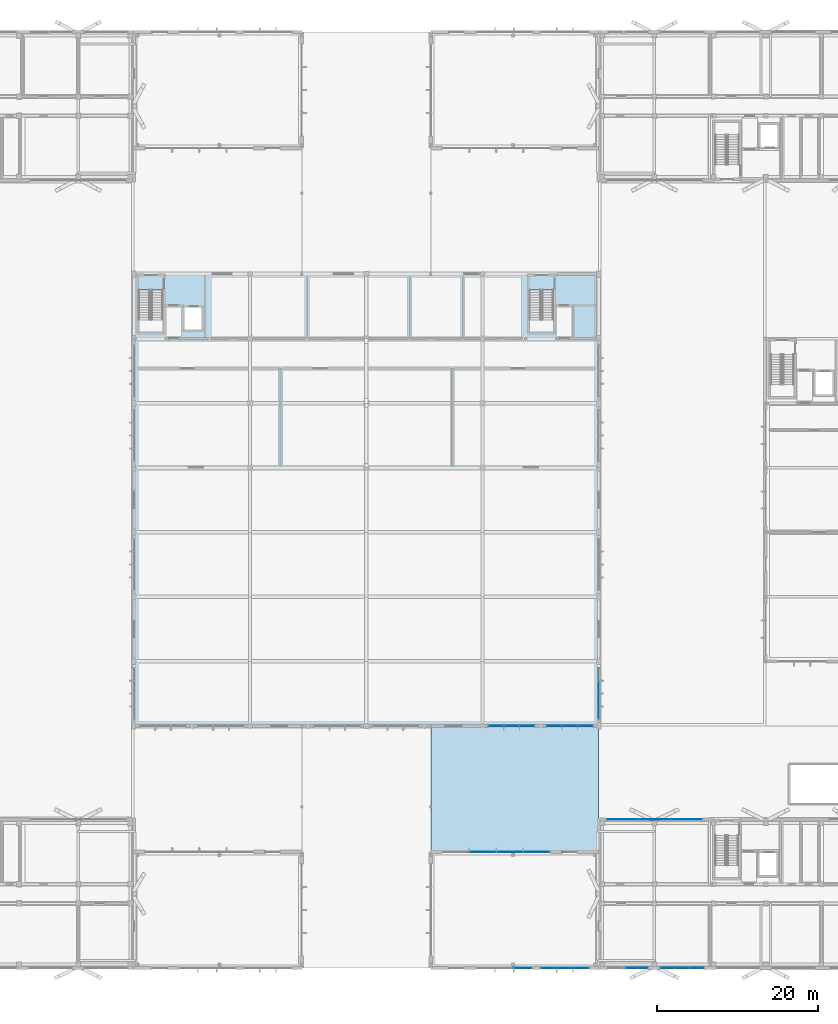
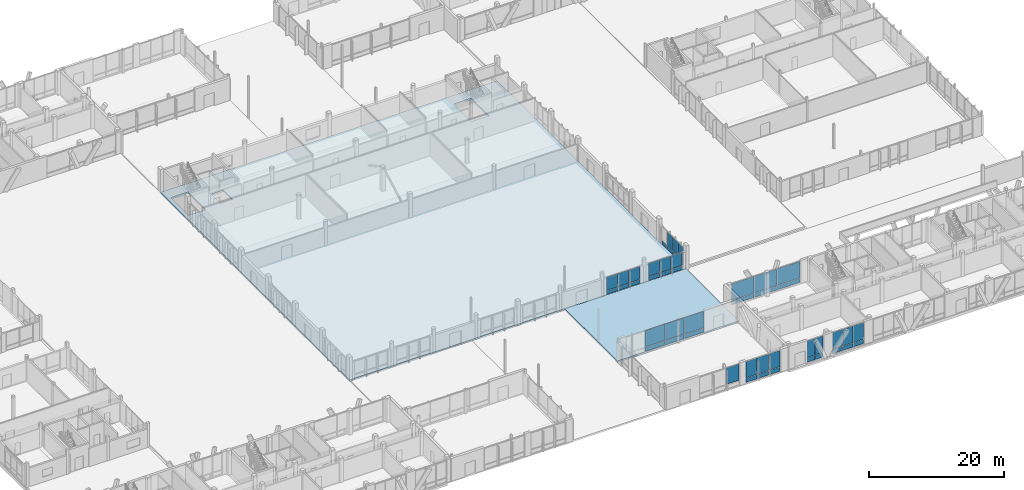
# One storey, part 180 of 233: 48 plates, 2 slabs, 9 elements without a shape of their own.
"""IFC4 building model written with IfcOpenShell, lengths in metres."""

from ifc_helpers import new_model, si_unit, direction, frame, origin, origin_2d, place, context, subcontext, project, spatial, polyline, rectangle, outline, extrude, material, layer, layer_set, type_object, element, aggregate, save


model = new_model("IFC4")

# Units and contexts
model_context = context("Model", 3, precision=1e-05, world=origin(), true_north=direction((0.0, 1.0)))
body_context = subcontext(model_context, "Body", "Model", "MODEL_VIEW")
ifc_project = project(units=[si_unit("LENGTHUNIT", "METRE"), si_unit("AREAUNIT", "SQUARE_METRE"), si_unit("VOLUMEUNIT", "CUBIC_METRE"), si_unit("PLANEANGLEUNIT", "RADIAN"), si_unit("MASSUNIT", "GRAM", prefix="KILO")], contexts=[model_context])

# Site, building, storey
site_placement = place(None, origin())
site = spatial("IfcSite", under=ifc_project, at=site_placement, CompositionType="ELEMENT")
building_placement = place(site_placement, origin())
building = spatial("IfcBuilding", under=site, at=building_placement, Name="Zavelmont Quarter", CompositionType="ELEMENT")
storey_placement = place(building_placement, origin())
storey = spatial("IfcBuildingStorey", under=building, at=storey_placement, Name="L00", CompositionType="ELEMENT", Elevation=0.0)

# Curtain wall, plates
ifc_material_1 = material(Name="Thermally broken aluminium and double low-E safety glazing", Category="aluminium")
curtain_wall_type_1 = type_object("IfcCurtainWallType", Name="CW-285X395", PredefinedType="NOTDEFINED", material=ifc_material_1)
curtain_wall_1_placement = place(storey_placement, origin())
curtain_wall_1 = element("IfcCurtainWall", 1, at=curtain_wall_1_placement, inside=storey, type_object=curtain_wall_type_1, Name="L00 unitised curtain wall CW-285X395", PredefinedType="NOTDEFINED")
ifc_material_2 = material(Name="Insulated anodised-aluminium spandrel panel", Category="aluminium")
ifc_layer_1 = layer(ifc_material_2, 0.0400390625)
ifc_layer_set_1 = layer_set([ifc_layer_1], Name="Insulated anodised-aluminium spandrel panel")
plate_type_1 = type_object("IfcPlateType", Name="CWP-SPD-1335X760", PredefinedType="CURTAIN_PANEL", material=ifc_layer_set_1)
plate_1_placement = place(storey_placement, frame((116.827392578125, 0.0, 0.06005859375), z_axis=(0.0, 0.0, 1.0), x_axis=(1.0, 0.0, 0.0)))
plate_1 = element("IfcPlate", 2, at=plate_1_placement, type_object=plate_type_1, Name="CW-285X395 panel 1.1", PredefinedType="CURTAIN_PANEL", context=body_context, shape_type="SweptSolid", body=[
    extrude(rectangle(XDim=1.3349609375, YDim=0.0400390625, at=origin_2d()), origin(), (0.0, 0.0, 1.0), 0.760009765625),
])
plate_2_placement = place(storey_placement, frame((118.222412109375, 0.0, 0.06005859375), z_axis=(0.0, 0.0, 1.0), x_axis=(1.0, 0.0, 0.0)))
plate_2 = element("IfcPlate", 3, at=plate_2_placement, type_object=plate_type_1, Name="CW-285X395 panel 2.1", PredefinedType="CURTAIN_PANEL", context=body_context, shape_type="SweptSolid", body=[
    extrude(rectangle(XDim=1.3349609375, YDim=0.0400390625, at=origin_2d()), origin(), (0.0, 0.0, 1.0), 0.760009765625),
])

curtain_wall_type_2 = type_object("IfcCurtainWallType", Name="CW-640X336", PredefinedType="NOTDEFINED", material=ifc_material_1)
curtain_wall_2_placement = place(storey_placement, origin())
curtain_wall_2 = element("IfcCurtainWall", 4, at=curtain_wall_2_placement, inside=storey, type_object=curtain_wall_type_2, Name="L00 unitised curtain wall CW-640X336", PredefinedType="NOTDEFINED")
ifc_layer_2 = layer(ifc_material_2, 0.0400390625)
ifc_layer_set_2 = layer_set([ifc_layer_2], Name="Insulated anodised-aluminium spandrel panel")
plate_type_2 = type_object("IfcPlateType", Name="CWP-SPD-1495X700", PredefinedType="CURTAIN_PANEL", material=ifc_layer_set_2)
plate_3_placement = place(storey_placement, frame((112.800048828125, 31.617431640625, 0.06982421875), z_axis=(0.0, 0.0, 1.0), x_axis=(0.0, 1.0, 0.0)))
plate_3 = element("IfcPlate", 5, at=plate_3_placement, type_object=plate_type_2, Name="CW-640X336 panel 1.1", PredefinedType="CURTAIN_PANEL", context=body_context, shape_type="SweptSolid", body=[
    extrude(rectangle(XDim=1.4951171875, YDim=0.0400390625, at=origin_2d()), origin(), (0.0, 0.0, 1.0), 0.700927734375),
])
plate_4_placement = place(storey_placement, frame((112.800048828125, 36.382568359375, 0.06982421875), z_axis=(0.0, 0.0, 1.0), x_axis=(0.0, 1.0, 0.0)))
plate_4 = element("IfcPlate", 6, at=plate_4_placement, type_object=plate_type_2, Name="CW-640X336 panel 4.1", PredefinedType="CURTAIN_PANEL", context=body_context, shape_type="SweptSolid", body=[
    extrude(rectangle(XDim=1.4951171875, YDim=0.0400390625, at=origin_2d()), origin(), (0.0, 0.0, 1.0), 0.700927734375),
])
ifc_layer_3 = layer(ifc_material_2, 0.0400390625)
ifc_layer_set_3 = layer_set([ifc_layer_3], Name="Insulated anodised-aluminium spandrel panel")
plate_type_3 = type_object("IfcPlateType", Name="CWP-SPD-1530X700", PredefinedType="CURTAIN_PANEL", material=ifc_layer_set_3)
plate_5_placement = place(storey_placement, frame((112.800048828125, 33.199951171875, 0.06982421875), z_axis=(0.0, 0.0, 1.0), x_axis=(0.0, 1.0, 0.0)))
plate_5 = element("IfcPlate", 7, at=plate_5_placement, type_object=plate_type_3, Name="CW-640X336 panel 2.1", PredefinedType="CURTAIN_PANEL", context=body_context, shape_type="SweptSolid", body=[
    extrude(rectangle(XDim=1.530029296875, YDim=0.0400390625, at=origin_2d()), origin(), (0.0, 0.0, 1.0), 0.700927734375),
])
plate_6_placement = place(storey_placement, frame((112.800048828125, 34.800048828125, 0.06982421875), z_axis=(0.0, 0.0, 1.0), x_axis=(0.0, 1.0, 0.0)))
plate_6 = element("IfcPlate", 8, at=plate_6_placement, type_object=plate_type_3, Name="CW-640X336 panel 3.1", PredefinedType="CURTAIN_PANEL", context=body_context, shape_type="SweptSolid", body=[
    extrude(rectangle(XDim=1.530029296875, YDim=0.0400390625, at=origin_2d()), origin(), (0.0, 0.0, 1.0), 0.700927734375),
])

curtain_wall_type_3 = type_object("IfcCurtainWallType", Name="CW-540X395", PredefinedType="NOTDEFINED", material=ifc_material_1)
curtain_wall_3_placement = place(storey_placement, origin())
curtain_wall_3 = element("IfcCurtainWall", 9, at=curtain_wall_3_placement, inside=storey, type_object=curtain_wall_type_3, Name="L00 unitised curtain wall CW-540X395", PredefinedType="NOTDEFINED")
ifc_layer_4 = layer(ifc_material_2, 0.0400390625)
ifc_layer_set_4 = layer_set([ifc_layer_4], Name="Insulated anodised-aluminium spandrel panel")
plate_type_4 = type_object("IfcPlateType", Name="CWP-SPD-1710X760", PredefinedType="CURTAIN_PANEL", material=ifc_layer_set_4)
plate_7_placement = place(storey_placement, frame((121.364990234375, 0.0, 0.06005859375), z_axis=(0.0, 0.0, 1.0), x_axis=(1.0, 0.0, 0.0)))
plate_7 = element("IfcPlate", 10, at=plate_7_placement, type_object=plate_type_4, Name="CW-540X395 panel 1.1", PredefinedType="CURTAIN_PANEL", context=body_context, shape_type="SweptSolid", body=[
    extrude(rectangle(XDim=1.7099609375, YDim=0.0400390625, at=origin_2d()), origin(), (0.0, 0.0, 1.0), 0.760009765625),
])
plate_8_placement = place(storey_placement, frame((124.93505859375, 0.0, 0.06005859375), z_axis=(0.0, 0.0, 1.0), x_axis=(1.0, 0.0, 0.0)))
plate_8 = element("IfcPlate", 11, at=plate_8_placement, type_object=plate_type_4, Name="CW-540X395 panel 3.1", PredefinedType="CURTAIN_PANEL", context=body_context, shape_type="SweptSolid", body=[
    extrude(rectangle(XDim=1.7099609375, YDim=0.0400390625, at=origin_2d()), origin(), (0.0, 0.0, 1.0), 0.760009765625),
])
ifc_layer_5 = layer(ifc_material_2, 0.0400390625)
ifc_layer_set_5 = layer_set([ifc_layer_5], Name="Insulated anodised-aluminium spandrel panel")
plate_type_5 = type_object("IfcPlateType", Name="CWP-SPD-1740X760", PredefinedType="CURTAIN_PANEL", material=ifc_layer_set_5)
plate_9_placement = place(storey_placement, frame((123.14990234375, 0.0, 0.06005859375), z_axis=(0.0, 0.0, 1.0), x_axis=(1.0, 0.0, 0.0)))
plate_9 = element("IfcPlate", 12, at=plate_9_placement, type_object=plate_type_5, Name="CW-540X395 panel 2.1", PredefinedType="CURTAIN_PANEL", context=body_context, shape_type="SweptSolid", body=[
    extrude(rectangle(XDim=1.739990234375, YDim=0.0400390625, at=origin_2d()), origin(), (0.0, 0.0, 1.0), 0.760009765625),
])

curtain_wall_type_4 = type_object("IfcCurtainWallType", Name="CW-580X321", PredefinedType="NOTDEFINED", material=ifc_material_1)
curtain_wall_4_placement = place(storey_placement, origin())
curtain_wall_4 = element("IfcCurtainWall", 13, at=curtain_wall_4_placement, inside=storey, type_object=curtain_wall_type_4, Name="L00 unitised curtain wall CW-580X321", PredefinedType="NOTDEFINED")
ifc_layer_6 = layer(ifc_material_2, 0.0400390625)
ifc_layer_set_6 = layer_set([ifc_layer_6], Name="Insulated anodised-aluminium spandrel panel")
plate_type_6 = type_object("IfcPlateType", Name="CWP-SPD-1830X665", PredefinedType="CURTAIN_PANEL", material=ifc_layer_set_6)
plate_10_placement = place(storey_placement, frame((100.084228515625, 30.0, 0.070068359375), z_axis=(0.0, 0.0, 1.0), x_axis=(1.0, 0.0, 0.0)))
plate_10 = element("IfcPlate", 14, at=plate_10_placement, type_object=plate_type_6, Name="CW-580X321 panel 1.1", PredefinedType="CURTAIN_PANEL", context=body_context, shape_type="SweptSolid", body=[
    extrude(rectangle(XDim=1.828369140625, YDim=0.0400390625, at=origin_2d()), origin(), (0.0, 0.0, 1.0), 0.6650390625),
])
plate_11_placement = place(storey_placement, frame((103.915771484375, 30.0, 0.070068359375), z_axis=(0.0, 0.0, 1.0), x_axis=(1.0, 0.0, 0.0)))
plate_11 = element("IfcPlate", 15, at=plate_11_placement, type_object=plate_type_6, Name="CW-580X321 panel 3.1", PredefinedType="CURTAIN_PANEL", context=body_context, shape_type="SweptSolid", body=[
    extrude(rectangle(XDim=1.828369140625, YDim=0.0400390625, at=origin_2d()), origin(), (0.0, 0.0, 1.0), 0.6650390625),
])

curtain_wall_5_placement = place(storey_placement, origin())
curtain_wall_5 = element("IfcCurtainWall", 16, at=curtain_wall_5_placement, inside=storey, type_object=curtain_wall_type_4, Name="L00 unitised curtain wall CW-580X321", PredefinedType="NOTDEFINED")
plate_12_placement = place(storey_placement, frame((107.2841796875, 30.0, 0.070068359375), z_axis=(0.0, 0.0, 1.0), x_axis=(1.0, 0.0, 0.0)))
plate_12 = element("IfcPlate", 17, at=plate_12_placement, type_object=plate_type_6, Name="CW-580X321 panel 1.1", PredefinedType="CURTAIN_PANEL", context=body_context, shape_type="SweptSolid", body=[
    extrude(rectangle(XDim=1.828369140625, YDim=0.0400390625, at=origin_2d()), origin(), (0.0, 0.0, 1.0), 0.6650390625),
])
plate_13_placement = place(storey_placement, frame((111.11572265625, 30.0, 0.070068359375), z_axis=(0.0, 0.0, 1.0), x_axis=(1.0, 0.0, 0.0)))
plate_13 = element("IfcPlate", 18, at=plate_13_placement, type_object=plate_type_6, Name="CW-580X321 panel 3.1", PredefinedType="CURTAIN_PANEL", context=body_context, shape_type="SweptSolid", body=[
    extrude(rectangle(XDim=1.828369140625, YDim=0.0400390625, at=origin_2d()), origin(), (0.0, 0.0, 1.0), 0.6650390625),
])

# Plate
ifc_layer_7 = layer(ifc_material_2, 0.0400390625)
ifc_layer_set_7 = layer_set([ifc_layer_7], Name="Insulated anodised-aluminium spandrel panel")
plate_type_7 = type_object("IfcPlateType", Name="CWP-SPD-1865X665", PredefinedType="CURTAIN_PANEL", material=ifc_layer_set_7)
plate_14_placement = place(storey_placement, frame((102.0, 30.0, 0.070068359375), z_axis=(0.0, 0.0, 1.0), x_axis=(1.0, 0.0, 0.0)))
plate_14 = element("IfcPlate", 19, at=plate_14_placement, type_object=plate_type_7, Name="CW-580X321 panel 2.1", PredefinedType="CURTAIN_PANEL", context=body_context, shape_type="SweptSolid", body=[
    extrude(rectangle(XDim=1.86328125, YDim=0.0400390625, at=origin_2d()), origin(), (0.0, 0.0, 1.0), 0.6650390625),
])

plate_15_placement = place(storey_placement, frame((109.199951171875, 30.0, 0.070068359375), z_axis=(0.0, 0.0, 1.0), x_axis=(1.0, 0.0, 0.0)))
plate_15 = element("IfcPlate", 20, at=plate_15_placement, type_object=plate_type_7, Name="CW-580X321 panel 2.1", PredefinedType="CURTAIN_PANEL", context=body_context, shape_type="SweptSolid", body=[
    extrude(rectangle(XDim=1.86328125, YDim=0.0400390625, at=origin_2d()), origin(), (0.0, 0.0, 1.0), 0.6650390625),
])

# Curtain wall, plates
curtain_wall_type_5 = type_object("IfcCurtainWallType", Name="CW-600X390", PredefinedType="NOTDEFINED", material=ifc_material_1)
curtain_wall_6_placement = place(storey_placement, origin())
curtain_wall_6 = element("IfcCurtainWall", 21, at=curtain_wall_6_placement, inside=storey, type_object=curtain_wall_type_5, Name="L00 unitised curtain wall CW-600X390", PredefinedType="NOTDEFINED")
ifc_layer_8 = layer(ifc_material_2, 0.0400390625)
ifc_layer_set_8 = layer_set([ifc_layer_8], Name="Insulated anodised-aluminium spandrel panel")
plate_type_8 = type_object("IfcPlateType", Name="CWP-SPD-1910X760", PredefinedType="CURTAIN_PANEL", material=ifc_layer_set_8)
plate_16_placement = place(storey_placement, frame((106.614990234375, 0.0, 0.06005859375), z_axis=(0.0, 0.0, 1.0), x_axis=(1.0, 0.0, 0.0)))
plate_16 = element("IfcPlate", 22, at=plate_16_placement, type_object=plate_type_8, Name="CW-600X390 panel 1.1", PredefinedType="CURTAIN_PANEL", context=body_context, shape_type="SweptSolid", body=[
    extrude(rectangle(XDim=1.909912109375, YDim=0.0400390625, at=origin_2d()), origin(), (0.0, 0.0, 1.0), 0.760009765625),
])
plate_17_placement = place(storey_placement, frame((110.5849609375, 0.0, 0.06005859375), z_axis=(0.0, 0.0, 1.0), x_axis=(1.0, 0.0, 0.0)))
plate_17 = element("IfcPlate", 23, at=plate_17_placement, type_object=plate_type_8, Name="CW-600X390 panel 3.1", PredefinedType="CURTAIN_PANEL", context=body_context, shape_type="SweptSolid", body=[
    extrude(rectangle(XDim=1.909912109375, YDim=0.0400390625, at=origin_2d()), origin(), (0.0, 0.0, 1.0), 0.760009765625),
])
ifc_layer_9 = layer(ifc_material_2, 0.0400390625)
ifc_layer_set_9 = layer_set([ifc_layer_9], Name="Insulated anodised-aluminium spandrel panel")
plate_type_9 = type_object("IfcPlateType", Name="CWP-SPD-1940X760", PredefinedType="CURTAIN_PANEL", material=ifc_layer_set_9)
plate_18_placement = place(storey_placement, frame((108.60009765625, 0.0, 0.06005859375), z_axis=(0.0, 0.0, 1.0), x_axis=(1.0, 0.0, 0.0)))
plate_18 = element("IfcPlate", 24, at=plate_18_placement, type_object=plate_type_9, Name="CW-600X390 panel 2.1", PredefinedType="CURTAIN_PANEL", context=body_context, shape_type="SweptSolid", body=[
    extrude(rectangle(XDim=1.93994140625, YDim=0.0400390625, at=origin_2d()), origin(), (0.0, 0.0, 1.0), 0.760009765625),
])

curtain_wall_type_6 = type_object("IfcCurtainWallType", Name="CW-1340X390", PredefinedType="NOTDEFINED", material=ifc_material_1)
curtain_wall_7_placement = place(storey_placement, origin())
curtain_wall_7 = element("IfcCurtainWall", 25, at=curtain_wall_7_placement, inside=storey, type_object=curtain_wall_type_6, Name="L00 unitised curtain wall CW-1340X390", PredefinedType="NOTDEFINED")
ifc_layer_10 = layer(ifc_material_2, 0.0400390625)
ifc_layer_set_10 = layer_set([ifc_layer_10], Name="Insulated anodised-aluminium spandrel panel")
plate_type_10 = type_object("IfcPlateType", Name="CWP-SPD-3260X760", PredefinedType="CURTAIN_PANEL", material=ifc_layer_set_10)
plate_19_placement = place(storey_placement, frame((105.110107421875, 14.39990234375, 0.06005859375), z_axis=(0.0, 0.0, 1.0), x_axis=(1.0, 0.0, 0.0)))
plate_19 = element("IfcPlate", 26, at=plate_19_placement, type_object=plate_type_10, Name="CW-1340X390 panel 4.1", PredefinedType="CURTAIN_PANEL", context=body_context, shape_type="SweptSolid", body=[
    extrude(rectangle(XDim=3.260009765625, YDim=0.0400390625, at=origin_2d()), origin(), (0.0, 0.0, 1.0), 0.760009765625),
])
ifc_layer_11 = layer(ifc_material_2, 0.0400390625)
ifc_layer_set_11 = layer_set([ifc_layer_11], Name="Insulated anodised-aluminium spandrel panel")
plate_type_11 = type_object("IfcPlateType", Name="CWP-SPD-3290X760", PredefinedType="CURTAIN_PANEL", material=ifc_layer_set_11)
plate_20_placement = place(storey_placement, frame((98.425048828125, 14.39990234375, 0.06005859375), z_axis=(0.0, 0.0, 1.0), x_axis=(1.0, 0.0, 0.0)))
plate_20 = element("IfcPlate", 27, at=plate_20_placement, type_object=plate_type_11, Name="CW-1340X390 panel 2.1", PredefinedType="CURTAIN_PANEL", context=body_context, shape_type="SweptSolid", body=[
    extrude(rectangle(XDim=3.2900390625, YDim=0.0400390625, at=origin_2d()), origin(), (0.0, 0.0, 1.0), 0.760009765625),
])
plate_21_placement = place(storey_placement, frame((101.77490234375, 14.39990234375, 0.06005859375), z_axis=(0.0, 0.0, 1.0), x_axis=(1.0, 0.0, 0.0)))
plate_21 = element("IfcPlate", 28, at=plate_21_placement, type_object=plate_type_11, Name="CW-1340X390 panel 3.1", PredefinedType="CURTAIN_PANEL", context=body_context, shape_type="SweptSolid", body=[
    extrude(rectangle(XDim=3.2900390625, YDim=0.0400390625, at=origin_2d()), origin(), (0.0, 0.0, 1.0), 0.760009765625),
])

curtain_wall_type_7 = type_object("IfcCurtainWallType", Name="CW-1185X395", PredefinedType="NOTDEFINED", material=ifc_material_1)
curtain_wall_8_placement = place(storey_placement, origin())
curtain_wall_8 = element("IfcCurtainWall", 29, at=curtain_wall_8_placement, inside=storey, type_object=curtain_wall_type_7, Name="L00 unitised curtain wall CW-1185X395", PredefinedType="NOTDEFINED")
ifc_layer_12 = layer(ifc_material_2, 0.0400390625)
ifc_layer_set_12 = layer_set([ifc_layer_12], Name="Insulated anodised-aluminium spandrel panel")
plate_type_12 = type_object("IfcPlateType", Name="CWP-SPD-3860X760", PredefinedType="CURTAIN_PANEL", material=ifc_layer_set_12)
plate_22_placement = place(storey_placement, frame((115.7900390625, 18.39990234375, 0.06005859375), z_axis=(0.0, 0.0, 1.0), x_axis=(1.0, 0.0, 0.0)))
plate_22 = element("IfcPlate", 30, at=plate_22_placement, type_object=plate_type_12, Name="CW-1185X395 panel 1.1", PredefinedType="CURTAIN_PANEL", context=body_context, shape_type="SweptSolid", body=[
    extrude(rectangle(XDim=3.860107421875, YDim=0.0400390625, at=origin_2d()), origin(), (0.0, 0.0, 1.0), 0.760009765625),
])
plate_23_placement = place(storey_placement, frame((123.659912109375, 18.39990234375, 0.06005859375), z_axis=(0.0, 0.0, 1.0), x_axis=(1.0, 0.0, 0.0)))
plate_23 = element("IfcPlate", 31, at=plate_23_placement, type_object=plate_type_12, Name="CW-1185X395 panel 3.1", PredefinedType="CURTAIN_PANEL", context=body_context, shape_type="SweptSolid", body=[
    extrude(rectangle(XDim=3.860107421875, YDim=0.0400390625, at=origin_2d()), origin(), (0.0, 0.0, 1.0), 0.760009765625),
])
ifc_layer_13 = layer(ifc_material_2, 0.0400390625)
ifc_layer_set_13 = layer_set([ifc_layer_13], Name="Insulated anodised-aluminium spandrel panel")
plate_type_13 = type_object("IfcPlateType", Name="CWP-SPD-3890X760", PredefinedType="CURTAIN_PANEL", material=ifc_layer_set_13)
plate_24_placement = place(storey_placement, frame((119.72509765625, 18.39990234375, 0.06005859375), z_axis=(0.0, 0.0, 1.0), x_axis=(1.0, 0.0, 0.0)))
plate_24 = element("IfcPlate", 32, at=plate_24_placement, type_object=plate_type_13, Name="CW-1185X395 panel 2.1", PredefinedType="CURTAIN_PANEL", context=body_context, shape_type="SweptSolid", body=[
    extrude(rectangle(XDim=3.889892578125, YDim=0.0400390625, at=origin_2d()), origin(), (0.0, 0.0, 1.0), 0.760009765625),
])

# Plate
ifc_material_3 = material(Name="Double low-E insulated vision glass", Category="glass")
ifc_layer_14 = layer(ifc_material_3, 0.028076171875)
ifc_layer_set_14 = layer_set([ifc_layer_14], Name="Double low-E insulated vision glass")
plate_type_14 = type_object("IfcPlateType", Name="CWP-VIS-1335X3010", PredefinedType="CURTAIN_PANEL", material=ifc_layer_set_14)
plate_25_placement = place(storey_placement, frame((116.827392578125, 0.0, 0.8798828125), z_axis=(0.0, 0.0, 1.0), x_axis=(1.0, 0.0, 0.0)))
plate_25 = element("IfcPlate", 33, at=plate_25_placement, type_object=plate_type_14, Name="CW-285X395 panel 1.2", PredefinedType="CURTAIN_PANEL", context=body_context, shape_type="SweptSolid", body=[
    extrude(rectangle(XDim=1.3349609375, YDim=0.028076171875, at=origin_2d()), origin(), (0.0, 0.0, 1.0), 3.010009765625),
])

plate_26_placement = place(storey_placement, frame((118.222412109375, 0.0, 0.8798828125), z_axis=(0.0, 0.0, 1.0), x_axis=(1.0, 0.0, 0.0)))
plate_26 = element("IfcPlate", 34, at=plate_26_placement, type_object=plate_type_14, Name="CW-285X395 panel 2.2", PredefinedType="CURTAIN_PANEL", context=body_context, shape_type="SweptSolid", body=[
    extrude(rectangle(XDim=1.3349609375, YDim=0.028076171875, at=origin_2d()), origin(), (0.0, 0.0, 1.0), 3.010009765625),
])

aggregate(curtain_wall_1, [plate_1, plate_25, plate_2, plate_26])

ifc_layer_15 = layer(ifc_material_3, 0.028076171875)
ifc_layer_set_15 = layer_set([ifc_layer_15], Name="Double low-E insulated vision glass")
plate_type_15 = type_object("IfcPlateType", Name="CWP-VIS-1495X2450", PredefinedType="CURTAIN_PANEL", material=ifc_layer_set_15)
plate_27_placement = place(storey_placement, frame((112.800048828125, 31.617431640625, 0.8408203125), z_axis=(0.0, 0.0, 1.0), x_axis=(0.0, 1.0, 0.0)))
plate_27 = element("IfcPlate", 35, at=plate_27_placement, type_object=plate_type_15, Name="CW-640X336 panel 1.2", PredefinedType="CURTAIN_PANEL", context=body_context, shape_type="SweptSolid", body=[
    extrude(rectangle(XDim=1.4951171875, YDim=0.028076171875, at=origin_2d()), origin(), (0.0, 0.0, 1.0), 2.448974609375),
])

ifc_layer_16 = layer(ifc_material_3, 0.028076171875)
ifc_layer_set_16 = layer_set([ifc_layer_16], Name="Double low-E insulated vision glass")
plate_type_16 = type_object("IfcPlateType", Name="CWP-VIS-1530X2450", PredefinedType="CURTAIN_PANEL", material=ifc_layer_set_16)
plate_28_placement = place(storey_placement, frame((112.800048828125, 33.199951171875, 0.8408203125), z_axis=(0.0, 0.0, 1.0), x_axis=(0.0, 1.0, 0.0)))
plate_28 = element("IfcPlate", 36, at=plate_28_placement, type_object=plate_type_16, Name="CW-640X336 panel 2.2", PredefinedType="CURTAIN_PANEL", context=body_context, shape_type="SweptSolid", body=[
    extrude(rectangle(XDim=1.530029296875, YDim=0.028076171875, at=origin_2d()), origin(), (0.0, 0.0, 1.0), 2.448974609375),
])

plate_29_placement = place(storey_placement, frame((112.800048828125, 34.800048828125, 0.8408203125), z_axis=(0.0, 0.0, 1.0), x_axis=(0.0, 1.0, 0.0)))
plate_29 = element("IfcPlate", 37, at=plate_29_placement, type_object=plate_type_16, Name="CW-640X336 panel 3.2", PredefinedType="CURTAIN_PANEL", context=body_context, shape_type="SweptSolid", body=[
    extrude(rectangle(XDim=1.530029296875, YDim=0.028076171875, at=origin_2d()), origin(), (0.0, 0.0, 1.0), 2.448974609375),
])

aggregate(curtain_wall_2, [plate_3, plate_27, plate_5, plate_28, plate_6, plate_29, plate_4])

ifc_layer_17 = layer(ifc_material_3, 0.028076171875)
ifc_layer_set_17 = layer_set([ifc_layer_17], Name="Double low-E insulated vision glass")
plate_type_17 = type_object("IfcPlateType", Name="CWP-VIS-1710X3010", PredefinedType="CURTAIN_PANEL", material=ifc_layer_set_17)
plate_30_placement = place(storey_placement, frame((121.364990234375, 0.0, 0.8798828125), z_axis=(0.0, 0.0, 1.0), x_axis=(1.0, 0.0, 0.0)))
plate_30 = element("IfcPlate", 38, at=plate_30_placement, type_object=plate_type_17, Name="CW-540X395 panel 1.2", PredefinedType="CURTAIN_PANEL", context=body_context, shape_type="SweptSolid", body=[
    extrude(rectangle(XDim=1.7099609375, YDim=0.028076171875, at=origin_2d()), origin(), (0.0, 0.0, 1.0), 3.010009765625),
])

plate_31_placement = place(storey_placement, frame((124.93505859375, 0.0, 0.8798828125), z_axis=(0.0, 0.0, 1.0), x_axis=(1.0, 0.0, 0.0)))
plate_31 = element("IfcPlate", 39, at=plate_31_placement, type_object=plate_type_17, Name="CW-540X395 panel 3.2", PredefinedType="CURTAIN_PANEL", context=body_context, shape_type="SweptSolid", body=[
    extrude(rectangle(XDim=1.7099609375, YDim=0.028076171875, at=origin_2d()), origin(), (0.0, 0.0, 1.0), 3.010009765625),
])

ifc_layer_18 = layer(ifc_material_3, 0.028076171875)
ifc_layer_set_18 = layer_set([ifc_layer_18], Name="Double low-E insulated vision glass")
plate_type_18 = type_object("IfcPlateType", Name="CWP-VIS-1740X3010", PredefinedType="CURTAIN_PANEL", material=ifc_layer_set_18)
plate_32_placement = place(storey_placement, frame((123.14990234375, 0.0, 0.8798828125), z_axis=(0.0, 0.0, 1.0), x_axis=(1.0, 0.0, 0.0)))
plate_32 = element("IfcPlate", 40, at=plate_32_placement, type_object=plate_type_18, Name="CW-540X395 panel 2.2", PredefinedType="CURTAIN_PANEL", context=body_context, shape_type="SweptSolid", body=[
    extrude(rectangle(XDim=1.739990234375, YDim=0.028076171875, at=origin_2d()), origin(), (0.0, 0.0, 1.0), 3.010009765625),
])

aggregate(curtain_wall_3, [plate_7, plate_30, plate_9, plate_32, plate_8, plate_31])

ifc_layer_19 = layer(ifc_material_3, 0.028076171875)
ifc_layer_set_19 = layer_set([ifc_layer_19], Name="Double low-E insulated vision glass")
plate_type_19 = type_object("IfcPlateType", Name="CWP-VIS-1830X2335", PredefinedType="CURTAIN_PANEL", material=ifc_layer_set_19)
plate_33_placement = place(storey_placement, frame((100.084228515625, 30.0, 0.804931640625), z_axis=(0.0, 0.0, 1.0), x_axis=(1.0, 0.0, 0.0)))
plate_33 = element("IfcPlate", 41, at=plate_33_placement, type_object=plate_type_19, Name="CW-580X321 panel 1.2", PredefinedType="CURTAIN_PANEL", context=body_context, shape_type="SweptSolid", body=[
    extrude(rectangle(XDim=1.828369140625, YDim=0.028076171875, at=origin_2d()), origin(), (0.0, 0.0, 1.0), 2.3349609375),
])

plate_34_placement = place(storey_placement, frame((103.915771484375, 30.0, 0.804931640625), z_axis=(0.0, 0.0, 1.0), x_axis=(1.0, 0.0, 0.0)))
plate_34 = element("IfcPlate", 42, at=plate_34_placement, type_object=plate_type_19, Name="CW-580X321 panel 3.2", PredefinedType="CURTAIN_PANEL", context=body_context, shape_type="SweptSolid", body=[
    extrude(rectangle(XDim=1.828369140625, YDim=0.028076171875, at=origin_2d()), origin(), (0.0, 0.0, 1.0), 2.3349609375),
])

plate_35_placement = place(storey_placement, frame((107.2841796875, 30.0, 0.804931640625), z_axis=(0.0, 0.0, 1.0), x_axis=(1.0, 0.0, 0.0)))
plate_35 = element("IfcPlate", 43, at=plate_35_placement, type_object=plate_type_19, Name="CW-580X321 panel 1.2", PredefinedType="CURTAIN_PANEL", context=body_context, shape_type="SweptSolid", body=[
    extrude(rectangle(XDim=1.828369140625, YDim=0.028076171875, at=origin_2d()), origin(), (0.0, 0.0, 1.0), 2.3349609375),
])

plate_36_placement = place(storey_placement, frame((111.11572265625, 30.0, 0.804931640625), z_axis=(0.0, 0.0, 1.0), x_axis=(1.0, 0.0, 0.0)))
plate_36 = element("IfcPlate", 44, at=plate_36_placement, type_object=plate_type_19, Name="CW-580X321 panel 3.2", PredefinedType="CURTAIN_PANEL", context=body_context, shape_type="SweptSolid", body=[
    extrude(rectangle(XDim=1.828369140625, YDim=0.028076171875, at=origin_2d()), origin(), (0.0, 0.0, 1.0), 2.3349609375),
])

ifc_layer_20 = layer(ifc_material_3, 0.028076171875)
ifc_layer_set_20 = layer_set([ifc_layer_20], Name="Double low-E insulated vision glass")
plate_type_20 = type_object("IfcPlateType", Name="CWP-VIS-1865X2335", PredefinedType="CURTAIN_PANEL", material=ifc_layer_set_20)
plate_37_placement = place(storey_placement, frame((102.0, 30.0, 0.804931640625), z_axis=(0.0, 0.0, 1.0), x_axis=(1.0, 0.0, 0.0)))
plate_37 = element("IfcPlate", 45, at=plate_37_placement, type_object=plate_type_20, Name="CW-580X321 panel 2.2", PredefinedType="CURTAIN_PANEL", context=body_context, shape_type="SweptSolid", body=[
    extrude(rectangle(XDim=1.86328125, YDim=0.028076171875, at=origin_2d()), origin(), (0.0, 0.0, 1.0), 2.3349609375),
])

aggregate(curtain_wall_4, [plate_10, plate_33, plate_14, plate_37, plate_11, plate_34])

plate_38_placement = place(storey_placement, frame((109.199951171875, 30.0, 0.804931640625), z_axis=(0.0, 0.0, 1.0), x_axis=(1.0, 0.0, 0.0)))
plate_38 = element("IfcPlate", 46, at=plate_38_placement, type_object=plate_type_20, Name="CW-580X321 panel 2.2", PredefinedType="CURTAIN_PANEL", context=body_context, shape_type="SweptSolid", body=[
    extrude(rectangle(XDim=1.86328125, YDim=0.028076171875, at=origin_2d()), origin(), (0.0, 0.0, 1.0), 2.3349609375),
])

aggregate(curtain_wall_5, [plate_12, plate_35, plate_15, plate_38, plate_13, plate_36])

ifc_layer_21 = layer(ifc_material_3, 0.028076171875)
ifc_layer_set_21 = layer_set([ifc_layer_21], Name="Double low-E insulated vision glass")
plate_type_21 = type_object("IfcPlateType", Name="CWP-VIS-1910X2960", PredefinedType="CURTAIN_PANEL", material=ifc_layer_set_21)
plate_39_placement = place(storey_placement, frame((106.614990234375, 0.0, 0.880126953125), z_axis=(0.0, 0.0, 1.0), x_axis=(1.0, 0.0, 0.0)))
plate_39 = element("IfcPlate", 47, at=plate_39_placement, type_object=plate_type_21, Name="CW-600X390 panel 1.2", PredefinedType="CURTAIN_PANEL", context=body_context, shape_type="SweptSolid", body=[
    extrude(rectangle(XDim=1.909912109375, YDim=0.028076171875, at=origin_2d()), origin(), (0.0, 0.0, 1.0), 2.9599609375),
])

plate_40_placement = place(storey_placement, frame((110.5849609375, 0.0, 0.880126953125), z_axis=(0.0, 0.0, 1.0), x_axis=(1.0, 0.0, 0.0)))
plate_40 = element("IfcPlate", 48, at=plate_40_placement, type_object=plate_type_21, Name="CW-600X390 panel 3.2", PredefinedType="CURTAIN_PANEL", context=body_context, shape_type="SweptSolid", body=[
    extrude(rectangle(XDim=1.909912109375, YDim=0.028076171875, at=origin_2d()), origin(), (0.0, 0.0, 1.0), 2.9599609375),
])

ifc_layer_22 = layer(ifc_material_3, 0.028076171875)
ifc_layer_set_22 = layer_set([ifc_layer_22], Name="Double low-E insulated vision glass")
plate_type_22 = type_object("IfcPlateType", Name="CWP-VIS-1940X2960", PredefinedType="CURTAIN_PANEL", material=ifc_layer_set_22)
plate_41_placement = place(storey_placement, frame((108.60009765625, 0.0, 0.880126953125), z_axis=(0.0, 0.0, 1.0), x_axis=(1.0, 0.0, 0.0)))
plate_41 = element("IfcPlate", 49, at=plate_41_placement, type_object=plate_type_22, Name="CW-600X390 panel 2.2", PredefinedType="CURTAIN_PANEL", context=body_context, shape_type="SweptSolid", body=[
    extrude(rectangle(XDim=1.93994140625, YDim=0.028076171875, at=origin_2d()), origin(), (0.0, 0.0, 1.0), 2.9599609375),
])

aggregate(curtain_wall_6, [plate_16, plate_39, plate_18, plate_41, plate_17, plate_40])

# Curtain wall, plate
curtain_wall_type_8 = type_object("IfcCurtainWallType", Name="CW-700X390", PredefinedType="NOTDEFINED", material=ifc_material_1)
curtain_wall_9_placement = place(storey_placement, origin())
curtain_wall_9 = element("IfcCurtainWall", 50, at=curtain_wall_9_placement, inside=storey, type_object=curtain_wall_type_8, Name="L00 unitised curtain wall CW-700X390", PredefinedType="NOTDEFINED")
ifc_layer_23 = layer(ifc_material_3, 0.028076171875)
ifc_layer_set_23 = layer_set([ifc_layer_23], Name="Double low-E insulated vision glass")
plate_type_23 = type_object("IfcPlateType", Name="CWP-VIS-2245X2960", PredefinedType="CURTAIN_PANEL", material=ifc_layer_set_23)
plate_42_placement = place(storey_placement, frame((103.418212890625, 0.0, 0.880126953125), z_axis=(0.0, 0.0, 1.0), x_axis=(1.0, 0.0, 0.0)))
plate_42 = element("IfcPlate", 51, at=plate_42_placement, type_object=plate_type_23, Name="CW-700X390 panel 3.2", PredefinedType="CURTAIN_PANEL", context=body_context, shape_type="SweptSolid", body=[
    extrude(rectangle(XDim=2.243408203125, YDim=0.028076171875, at=origin_2d()), origin(), (0.0, 0.0, 1.0), 2.9599609375),
])
aggregate(curtain_wall_9, [plate_42])

# Plate
ifc_layer_24 = layer(ifc_material_3, 0.028076171875)
ifc_layer_set_24 = layer_set([ifc_layer_24], Name="Double low-E insulated vision glass")
plate_type_24 = type_object("IfcPlateType", Name="CWP-VIS-3260X2960", PredefinedType="CURTAIN_PANEL", material=ifc_layer_set_24)
plate_43_placement = place(storey_placement, frame((105.110107421875, 14.39990234375, 0.880126953125), z_axis=(0.0, 0.0, 1.0), x_axis=(1.0, 0.0, 0.0)))
plate_43 = element("IfcPlate", 52, at=plate_43_placement, type_object=plate_type_24, Name="CW-1340X390 panel 4.2", PredefinedType="CURTAIN_PANEL", context=body_context, shape_type="SweptSolid", body=[
    extrude(rectangle(XDim=3.260009765625, YDim=0.028076171875, at=origin_2d()), origin(), (0.0, 0.0, 1.0), 2.9599609375),
])

ifc_layer_25 = layer(ifc_material_3, 0.028076171875)
ifc_layer_set_25 = layer_set([ifc_layer_25], Name="Double low-E insulated vision glass")
plate_type_25 = type_object("IfcPlateType", Name="CWP-VIS-3290X2960", PredefinedType="CURTAIN_PANEL", material=ifc_layer_set_25)
plate_44_placement = place(storey_placement, frame((98.425048828125, 14.39990234375, 0.880126953125), z_axis=(0.0, 0.0, 1.0), x_axis=(1.0, 0.0, 0.0)))
plate_44 = element("IfcPlate", 53, at=plate_44_placement, type_object=plate_type_25, Name="CW-1340X390 panel 2.2", PredefinedType="CURTAIN_PANEL", context=body_context, shape_type="SweptSolid", body=[
    extrude(rectangle(XDim=3.2900390625, YDim=0.028076171875, at=origin_2d()), origin(), (0.0, 0.0, 1.0), 2.9599609375),
])

plate_45_placement = place(storey_placement, frame((101.77490234375, 14.39990234375, 0.880126953125), z_axis=(0.0, 0.0, 1.0), x_axis=(1.0, 0.0, 0.0)))
plate_45 = element("IfcPlate", 54, at=plate_45_placement, type_object=plate_type_25, Name="CW-1340X390 panel 3.2", PredefinedType="CURTAIN_PANEL", context=body_context, shape_type="SweptSolid", body=[
    extrude(rectangle(XDim=3.2900390625, YDim=0.028076171875, at=origin_2d()), origin(), (0.0, 0.0, 1.0), 2.9599609375),
])

aggregate(curtain_wall_7, [plate_20, plate_44, plate_21, plate_45, plate_19, plate_43])

ifc_layer_26 = layer(ifc_material_3, 0.028076171875)
ifc_layer_set_26 = layer_set([ifc_layer_26], Name="Double low-E insulated vision glass")
plate_type_26 = type_object("IfcPlateType", Name="CWP-VIS-3860X3010", PredefinedType="CURTAIN_PANEL", material=ifc_layer_set_26)
plate_46_placement = place(storey_placement, frame((115.7900390625, 18.39990234375, 0.8798828125), z_axis=(0.0, 0.0, 1.0), x_axis=(1.0, 0.0, 0.0)))
plate_46 = element("IfcPlate", 55, at=plate_46_placement, type_object=plate_type_26, Name="CW-1185X395 panel 1.2", PredefinedType="CURTAIN_PANEL", context=body_context, shape_type="SweptSolid", body=[
    extrude(rectangle(XDim=3.860107421875, YDim=0.028076171875, at=origin_2d()), origin(), (0.0, 0.0, 1.0), 3.010009765625),
])

plate_47_placement = place(storey_placement, frame((123.659912109375, 18.39990234375, 0.8798828125), z_axis=(0.0, 0.0, 1.0), x_axis=(1.0, 0.0, 0.0)))
plate_47 = element("IfcPlate", 56, at=plate_47_placement, type_object=plate_type_26, Name="CW-1185X395 panel 3.2", PredefinedType="CURTAIN_PANEL", context=body_context, shape_type="SweptSolid", body=[
    extrude(rectangle(XDim=3.860107421875, YDim=0.028076171875, at=origin_2d()), origin(), (0.0, 0.0, 1.0), 3.010009765625),
])

ifc_layer_27 = layer(ifc_material_3, 0.028076171875)
ifc_layer_set_27 = layer_set([ifc_layer_27], Name="Double low-E insulated vision glass")
plate_type_27 = type_object("IfcPlateType", Name="CWP-VIS-3890X3010", PredefinedType="CURTAIN_PANEL", material=ifc_layer_set_27)
plate_48_placement = place(storey_placement, frame((119.72509765625, 18.39990234375, 0.8798828125), z_axis=(0.0, 0.0, 1.0), x_axis=(1.0, 0.0, 0.0)))
plate_48 = element("IfcPlate", 57, at=plate_48_placement, type_object=plate_type_27, Name="CW-1185X395 panel 2.2", PredefinedType="CURTAIN_PANEL", context=body_context, shape_type="SweptSolid", body=[
    extrude(rectangle(XDim=3.889892578125, YDim=0.028076171875, at=origin_2d()), origin(), (0.0, 0.0, 1.0), 3.010009765625),
])

aggregate(curtain_wall_8, [plate_22, plate_46, plate_24, plate_48, plate_23, plate_47])

# Slabs
ifc_material_4 = material(Name="Concrete C40/50", Category="concrete")
ifc_layer_28 = layer(ifc_material_4, 0.320068359375)
ifc_layer_set_28 = layer_set([ifc_layer_28], Name="Concrete C40/50")
slab_type_1 = type_object("IfcSlabType", Name="SL-FL320", PredefinedType="FLOOR", material=ifc_layer_set_28)
slab_1_placement = place(storey_placement, frame((0.0, 0.0, -0.320068359375)))
element("IfcSlab", 58, at=slab_1_placement, inside=storey, type_object=slab_type_1, Name="L00 Community Hall ground slab SL-FL320", PredefinedType="FLOOR", context=body_context, shape_type="SweptSolid", body=[
    extrude(outline(polyline([(55.199951171875, 30.0), (112.800048828125, 30.0), (112.800048828125, 86.0), (55.199951171875, 86.0), (55.199951171875, 30.0)]), holes=[polyline([(55.800048828125, 84.02490234375), (55.800048828125, 78.800048828125), (58.800048828125, 78.800048828125), (58.800048828125, 84.02490234375), (55.800048828125, 84.02490234375)]), polyline([(61.449951171875, 79.10009765625), (63.550048828125, 79.10009765625), (63.550048828125, 81.85009765625), (61.449951171875, 81.85009765625), (61.449951171875, 79.10009765625)]), polyline([(104.199951171875, 84.02490234375), (104.199951171875, 78.800048828125), (107.199951171875, 78.800048828125), (107.199951171875, 84.02490234375), (104.199951171875, 84.02490234375)])]), origin(), (0.0, 0.0, 1.0), 0.320068359375),
])
ifc_material_5 = material(Name="Concrete C35/45", Category="concrete")
ifc_layer_29 = layer(ifc_material_5, 0.2900390625)
ifc_layer_set_29 = layer_set([ifc_layer_29], Name="Concrete C35/45")
slab_type_2 = type_object("IfcSlabType", Name="SL-RF290", PredefinedType="ROOF", material=ifc_layer_set_29)
slab_2_placement = place(storey_placement, frame((0.0, 0.0, -0.2900390625)))
element("IfcSlab", 59, at=slab_2_placement, inside=storey, type_object=slab_type_2, Name="L00 South-East forecourt garden SL-RF290", PredefinedType="ROOF", context=body_context, shape_type="SweptSolid", body=[
    extrude(outline(polyline([(92.0, 14.39990234375), (112.800048828125, 14.39990234375), (112.800048828125, 30.0), (92.0, 30.0), (92.0, 14.39990234375)])), origin(), (0.0, 0.0, 1.0), 0.2900390625),
])

save(model, "model.ifc")
